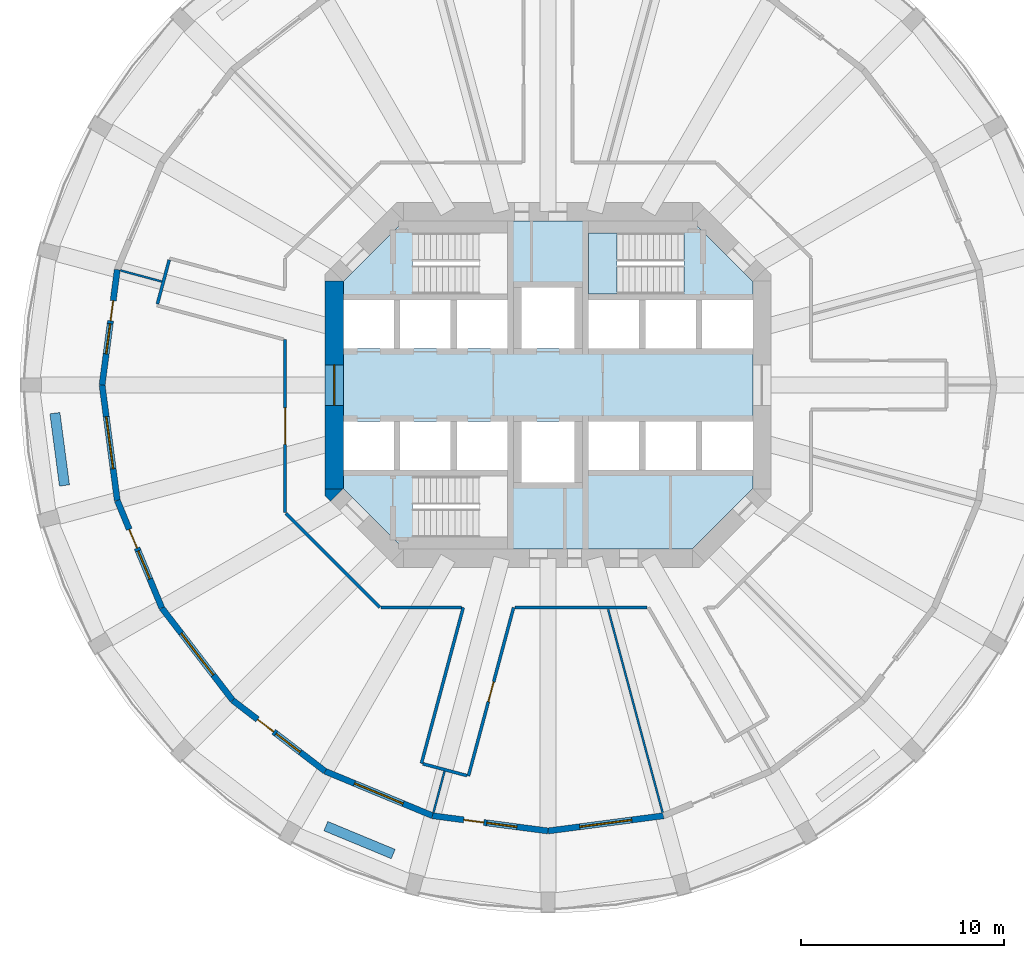
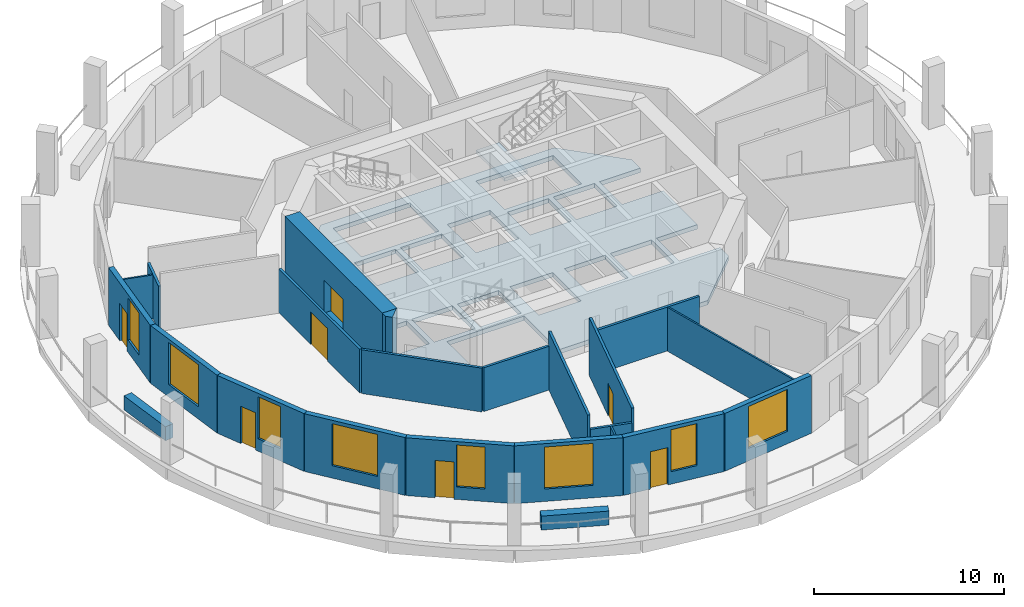
# One storey, part 2 of 8: 23 walls, 8 windows, 7 doors, 2 slabs, 15 openings, 1 element without a shape of its own.
"""IFC4 building model written with IfcOpenShell, lengths in metres."""

from ifc_helpers import new_model, si_unit, direction, frame, frame_2d, origin, place, context, subcontext, project, spatial, polyline, rectangle, outline, extrude, material, layer, layer_set, type_object, element, fill, aggregate, save


model = new_model("IFC4")

# Units and contexts
model_context = context("Model", 3, precision=1e-05, world=origin(), true_north=direction((0.0, 1.0)))
body_context = subcontext(model_context, "Body", "Model", "MODEL_VIEW")
ifc_project = project(units=[si_unit("LENGTHUNIT", "METRE"), si_unit("AREAUNIT", "SQUARE_METRE"), si_unit("VOLUMEUNIT", "CUBIC_METRE"), si_unit("PLANEANGLEUNIT", "RADIAN"), si_unit("MASSUNIT", "GRAM", prefix="KILO")], contexts=[model_context])

# Site, building, storey
site_placement = place(None, origin())
site = spatial("IfcSite", under=ifc_project, at=site_placement, CompositionType="ELEMENT")
building_placement = place(site_placement, origin())
building = spatial("IfcBuilding", under=site, at=building_placement, Name="Torre Triforio", CompositionType="ELEMENT")
storey_placement = place(building_placement, frame((0.0, 0.0, 86.60009765625)))
storey = spatial("IfcBuildingStorey", under=building, at=storey_placement, Name="L18", CompositionType="ELEMENT", Elevation=86.60009765625)

# Slab
ifc_material_1 = material(Name="Concrete C60", Category="concrete")
ifc_layer_1 = layer(ifc_material_1, 0.280029296875)
ifc_layer_set_1 = layer_set([ifc_layer_1], Name="Concrete C60")
slab_type_1 = type_object("IfcSlabType", Name="Core floor slab 280 mm C60 REI 120", PredefinedType="FLOOR", material=ifc_layer_set_1)
slab_1_placement = place(storey_placement, frame((0.0, 0.0, -0.280029296875)))
element("IfcSlab", 1, at=slab_1_placement, inside=storey, type_object=slab_type_1, Name="Core floor slab", PredefinedType="FLOOR", context=body_context, shape_type="SweptSolid", body=[
    extrude(outline(polyline([(10.10009765625, -5.10009765625), (7.10009765625, -8.10009765625), (-7.10009765625, -8.10009765625), (-10.10009765625, -5.10009765625), (-10.10009765625, -4.199951171875), (-7.60009765625, -4.199951171875), (-7.60009765625, -1.800048828125), (-10.10009765625, -1.800048828125), (-10.10009765625, 1.800048828125), (-7.60009765625, 1.800048828125), (-7.60009765625, 4.199951171875), (-10.10009765625, 4.199951171875), (-10.10009765625, 5.10009765625), (-7.10009765625, 8.10009765625), (7.10009765625, 8.10009765625), (10.10009765625, 5.10009765625), (10.10009765625, 4.199951171875), (7.60009765625, 4.199951171875), (7.60009765625, 1.800048828125), (10.10009765625, 1.800048828125), (10.10009765625, -1.800048828125), (7.60009765625, -1.800048828125), (7.60009765625, -4.199951171875), (10.10009765625, -4.199951171875), (10.10009765625, -5.10009765625)]), holes=[polyline([(-2.0, -4.5), (-6.696044921875, -4.5), (-6.696044921875, -7.5), (-2.0, -7.5), (-2.0, -4.5)]), polyline([(-4.800048828125, -1.800048828125), (-7.300048828125, -1.800048828125), (-7.300048828125, -4.199951171875), (-4.800048828125, -4.199951171875), (-4.800048828125, -1.800048828125)]), polyline([(-2.0, -1.800048828125), (-4.5, -1.800048828125), (-4.5, -4.199951171875), (-2.0, -4.199951171875), (-2.0, -1.800048828125)]), polyline([(-4.800048828125, 4.199951171875), (-7.300048828125, 4.199951171875), (-7.300048828125, 1.800048828125), (-4.800048828125, 1.800048828125), (-4.800048828125, 4.199951171875)]), polyline([(-2.0, 4.199951171875), (-4.5, 4.199951171875), (-4.5, 1.800048828125), (-2.0, 1.800048828125), (-2.0, 4.199951171875)]), polyline([(1.300048828125, 4.800048828125), (-1.300048828125, 4.800048828125), (-1.300048828125, 1.800048828125), (1.300048828125, 1.800048828125), (1.300048828125, 4.800048828125)]), polyline([(-2.0, 7.5), (-6.696044921875, 7.5), (-6.696044921875, 4.5), (-2.0, 4.5), (-2.0, 7.5)]), polyline([(1.300048828125, -1.800048828125), (-1.300048828125, -1.800048828125), (-1.300048828125, -4.800048828125), (1.300048828125, -4.800048828125), (1.300048828125, -1.800048828125)]), polyline([(4.5, -1.800048828125), (2.0, -1.800048828125), (2.0, -4.199951171875), (4.5, -4.199951171875), (4.5, -1.800048828125)]), polyline([(7.300048828125, -1.800048828125), (4.800048828125, -1.800048828125), (4.800048828125, -4.199951171875), (7.300048828125, -4.199951171875), (7.300048828125, -1.800048828125)]), polyline([(4.5, 4.199951171875), (2.0, 4.199951171875), (2.0, 1.800048828125), (4.5, 1.800048828125), (4.5, 4.199951171875)]), polyline([(7.300048828125, 4.199951171875), (4.800048828125, 4.199951171875), (4.800048828125, 1.800048828125), (7.300048828125, 1.800048828125), (7.300048828125, 4.199951171875)]), polyline([(6.696044921875, 4.5), (6.696044921875, 7.5), (2.0, 7.5), (2.0, 4.5), (6.696044921875, 4.5)])]), origin(), (0.0, 0.0, 1.0), 0.280029296875),
])

# Stair, slab
ifc_material_2 = material(Name="Concrete C40", Category="concrete")
stair_type = type_object("IfcStairType", Name="STAIR HALF-TURN", PredefinedType="HALF_TURN_STAIR", material=ifc_material_2)
stair_placement = place(storey_placement, origin())
stair = element("IfcStair", 2, at=stair_placement, inside=storey, type_object=stair_type, Name="Exit stair 2", PredefinedType="HALF_TURN_STAIR")
ifc_layer_2 = layer(ifc_material_2, 0.199951171875)
ifc_layer_set_2 = layer_set([ifc_layer_2], Name="Concrete C40")
slab_type_2 = type_object("IfcSlabType", Name="STAIR LANDING 200", PredefinedType="LANDING", material=ifc_layer_set_2)
slab_2_placement = place(storey_placement, frame((0.0, 0.0, 1.7998046875)))
slab_2 = element("IfcSlab", 3, at=slab_2_placement, type_object=slab_type_2, Name="ST2 landing 1", PredefinedType="LANDING", context=body_context, shape_type="SweptSolid", body=[
    extrude(outline(polyline([(3.39990234375, 4.5), (3.39990234375, 7.5), (2.0, 7.5), (2.0, 4.5), (3.39990234375, 4.5)])), origin(), (0.0, 0.0, 1.0), 0.2001953125),
])
aggregate(stair, [slab_2])

# Wall, opening, door
ifc_layer_3 = layer(ifc_material_1, 0.89990234375)
ifc_layer_set_3 = layer_set([ifc_layer_3], Name="Concrete C60")
wall_type_1 = type_object("IfcWallType", Name="Core wall 900 mm C60 EI 120", PredefinedType="SHEAR", material=ifc_layer_set_3)
wall_1_placement = place(storey_placement, frame((-10.550048828125, -5.1298828125, -0.280029296875), z_axis=(0.0, 0.0, 1.0), x_axis=(0.0, 1.0, 0.0)))
wall_1 = element("IfcWall", 4, at=wall_1_placement, inside=storey, type_object=wall_type_1, Name="Core wall", PredefinedType="SHEAR", context=body_context, shape_type="SweptSolid", body=[
    extrude(rectangle(XDim=10.259765625, YDim=0.89990234375, at=frame_2d((5.1298828125, 0.0))), origin(), (0.0, 0.0, 1.0), 4.0),
])
opening_1_placement = place(wall_1_placement, frame((4.1298828125, 0.0, 0.280029296875)))
opening_1 = element("IfcOpeningElement", 5, at=opening_1_placement, cuts=wall_1, Name="Opening W-RING", PredefinedType="OPENING", context=body_context, shape_type="SweptSolid", body=[
    extrude(rectangle(XDim=2.0, YDim=2.10009765625, at=frame_2d((1.0, 1.050048828125))), frame((0.0, 0.4599609375, 0.0), z_axis=(0.0, -1.0, 0.0), x_axis=(1.0, 0.0, 0.0)), (0.0, 0.0, 1.0), 0.919921875),
])
ifc_material_3 = material(Name="Hollow metal fire door leaf")
door_type_1 = type_object("IfcDoorType", Name="Lobby door 2000 x 2100 EI 60", OperationType="DOUBLE_DOOR_SINGLE_SWING", PredefinedType="DOOR", material=ifc_material_3)
door_1_placement = place(opening_1_placement, origin())
door_1 = element("IfcDoor", 6, at=door_1_placement, inside=storey, type_object=door_type_1, Name="Core door W-RING", OperationType="DOUBLE_DOOR_SINGLE_SWING", OverallHeight=2.10009765625, OverallWidth=2.0, PredefinedType="DOOR", context=body_context, shape_type="SweptSolid", body=[
    extrude(rectangle(XDim=2.0, YDim=2.10009765625, at=frame_2d((1.0, 1.050048828125))), frame((0.0, 0.02490234375, 0.0), z_axis=(0.0, -1.0, 0.0), x_axis=(1.0, 0.0, 0.0)), (0.0, 0.0, 1.0), 0.050048828125),
])
fill(opening_1, door_1)

# Walls
wall_2_placement = place(storey_placement, frame((0.0, 0.0, -0.280029296875)))
element("IfcWall", 7, at=wall_2_placement, inside=storey, type_object=wall_type_1, Name="Core wall", PredefinedType="SHEAR", context=body_context, shape_type="SweptSolid", body=[
    extrude(outline(polyline([(-11.0, -5.472900390625), (-11.0, -5.1298828125), (-10.1298828125, -5.1298828125), (-10.736328125, -5.736328125), (-11.0, -5.472900390625)])), origin(), (0.0, 0.0, 1.0), 4.0),
])
ifc_material_4 = material(Name="Plasterboard on metal studs")
ifc_layer_4 = layer(ifc_material_4, 0.14990234375)
ifc_layer_set_4 = layer_set([ifc_layer_4], Name="Plasterboard on metal studs")
wall_type_2 = type_object("IfcWallType", Name="Corridor and tenancy wall 150 mm EI 60", PredefinedType="PARTITIONING", material=ifc_layer_set_4)
wall_3_placement = place(storey_placement, frame((4.8857421875, -10.97509765625, 0.0), z_axis=(0.0, 0.0, 1.0), x_axis=(-1.0, 0.0, 0.0)))
element("IfcWall", 8, at=wall_3_placement, inside=storey, type_object=wall_type_2, Name="Partition 8", PredefinedType="PARTITIONING", context=body_context, shape_type="SweptSolid", body=[
    extrude(rectangle(XDim=6.51171875, YDim=0.14990234375, at=frame_2d((3.255859375, 0.0))), origin(), (0.0, 0.0, 1.0), 2.81982421875),
])

# Wall, opening, door
wall_4_placement = place(storey_placement, frame((-1.698486328125, -10.97509765625, 0.0), z_axis=(0.0, 0.0, 1.0), x_axis=(-0.258804606039, -0.965929695109, 0.0)))
wall_4 = element("IfcWall", 9, at=wall_4_placement, inside=storey, type_object=wall_type_2, Name="Partition 9", PredefinedType="PARTITIONING", context=body_context, shape_type="SweptSolid", body=[
    extrude(rectangle(XDim=8.60791015625, YDim=0.14990234375, at=frame_2d((4.303955078125, 0.0))), origin(), (0.0, 0.0, 1.0), 3.719970703125),
])
opening_2_placement = place(wall_4_placement, frame((3.803955078125, 0.0, 0.0)))
opening_2 = element("IfcOpeningElement", 10, at=opening_2_placement, cuts=wall_4, Name="Opening N6-07", PredefinedType="OPENING", context=body_context, shape_type="SweptSolid", body=[
    extrude(rectangle(XDim=1.0, YDim=2.10009765625, at=frame_2d((0.5, 1.050048828125))), frame((0.0, 0.0849609375, 0.0), z_axis=(0.0, -1.0, 0.0), x_axis=(1.0, 0.0, 0.0)), (0.0, 0.0, 1.0), 0.169921875),
])
ifc_material_5 = material(Name="Timber", Category="wood")
door_type_2 = type_object("IfcDoorType", Name="Door 1000 x 2100 single leaf EI 30", OperationType="NOTDEFINED", PredefinedType="DOOR", material=ifc_material_5)
door_2_placement = place(opening_2_placement, origin())
door_2 = element("IfcDoor", 11, at=door_2_placement, inside=storey, type_object=door_type_2, Name="Door N6-07", OperationType="SINGLE_SWING_RIGHT", OverallHeight=2.10009765625, OverallWidth=1.0, PredefinedType="DOOR", context=body_context, shape_type="SweptSolid", body=[
    extrude(rectangle(XDim=1.0, YDim=2.10009765625, at=frame_2d((0.5, 1.050048828125))), frame((0.0, 0.02490234375, 0.0), z_axis=(0.0, -1.0, 0.0), x_axis=(1.0, 0.0, 0.0)), (0.0, 0.0, 1.0), 0.050048828125),
])
fill(opening_2, door_2)

# Walls
wall_5_placement = place(storey_placement, frame((-3.998779296875, -19.2705078125, 0.0), z_axis=(0.0, 0.0, 1.0), x_axis=(-0.965906393436, 0.258891558609, 0.0)))
element("IfcWall", 12, at=wall_5_placement, inside=storey, type_object=wall_type_2, Name="Partition 10", PredefinedType="PARTITIONING", context=body_context, shape_type="SweptSolid", body=[
    extrude(rectangle(XDim=2.25, YDim=0.14990234375, at=frame_2d((1.125, 0.0))), origin(), (0.0, 0.0, 1.0), 2.81982421875),
])
wall_6_placement = place(storey_placement, frame((-6.24462890625, -18.668701171875, 0.0), z_axis=(0.0, 0.0, 1.0), x_axis=(0.258822393938, 0.965924928965, 0.0)))
element("IfcWall", 13, at=wall_6_placement, inside=storey, type_object=wall_type_2, Name="Partition 11", PredefinedType="PARTITIONING", context=body_context, shape_type="SweptSolid", body=[
    extrude(rectangle(XDim=7.965087890625, YDim=0.14990234375, at=frame_2d((3.982421875, 0.0))), origin(), (0.0, 0.0, 1.0), 3.719970703125),
])
wall_7_placement = place(storey_placement, frame((-4.280517578125, -10.97509765625, 0.0), z_axis=(0.0, 0.0, 1.0), x_axis=(-1.0, 0.0, 0.0)))
element("IfcWall", 14, at=wall_7_placement, inside=storey, type_object=wall_type_2, Name="Partition 12", PredefinedType="PARTITIONING", context=body_context, shape_type="SweptSolid", body=[
    extrude(rectangle(XDim=3.957763671875, YDim=0.14990234375, at=frame_2d((1.97900390625, 0.0))), origin(), (0.0, 0.0, 1.0), 2.81982421875),
])
wall_8_placement = place(storey_placement, frame((-8.291015625, -10.97509765625, 0.0), z_axis=(0.0, 0.0, 1.0), x_axis=(-0.707088206597, 0.707125355289, 0.0)))
element("IfcWall", 15, at=wall_8_placement, inside=storey, type_object=wall_type_2, Name="Partition 13", PredefinedType="PARTITIONING", context=body_context, shape_type="SweptSolid", body=[
    extrude(rectangle(XDim=6.572021484375, YDim=0.14990234375, at=frame_2d((3.2861328125, 0.0))), origin(), (0.0, 0.0, 1.0), 2.81982421875),
])

# Wall, opening, door
wall_9_placement = place(storey_placement, frame((-12.97509765625, -6.291015625, 0.0), z_axis=(0.0, 0.0, 1.0), x_axis=(0.0, 1.0, 0.0)))
wall_9 = element("IfcWall", 16, at=wall_9_placement, inside=storey, type_object=wall_type_2, Name="Partition 14", PredefinedType="PARTITIONING", context=body_context, shape_type="SweptSolid", body=[
    extrude(rectangle(XDim=8.525390625, YDim=0.14990234375, at=frame_2d((4.2626953125, 0.0))), origin(), (0.0, 0.0, 1.0), 2.81982421875),
])
opening_3_placement = place(wall_9_placement, frame((3.362548828125, 0.0, 0.0)))
opening_3 = element("IfcOpeningElement", 17, at=opening_3_placement, cuts=wall_9, Name="Opening N6-06", PredefinedType="OPENING", context=body_context, shape_type="SweptSolid", body=[
    extrude(rectangle(XDim=1.800048828125, YDim=2.10009765625, at=frame_2d((0.89990234375, 1.050048828125))), frame((0.0, 0.0849609375, 0.0), z_axis=(0.0, -1.0, 0.0), x_axis=(1.0, 0.0, 0.0)), (0.0, 0.0, 1.0), 0.169921875),
])
door_type_3 = type_object("IfcDoorType", Name="Door 1800 x 2100 double leaf EI 30", OperationType="DOUBLE_DOOR_SINGLE_SWING", PredefinedType="DOOR", material=ifc_material_5)
door_3_placement = place(opening_3_placement, origin())
door_3 = element("IfcDoor", 18, at=door_3_placement, inside=storey, type_object=door_type_3, Name="Door N6-06", OperationType="DOUBLE_DOOR_SINGLE_SWING", OverallHeight=2.10009765625, OverallWidth=1.800048828125, PredefinedType="DOOR", context=body_context, shape_type="SweptSolid", body=[
    extrude(rectangle(XDim=1.800048828125, YDim=2.10009765625, at=frame_2d((0.89990234375, 1.050048828125))), frame((0.0, 0.02490234375, 0.0), z_axis=(0.0, -1.0, 0.0), x_axis=(1.0, 0.0, 0.0)), (0.0, 0.0, 1.0), 0.050048828125),
])
fill(opening_3, door_3)

# Walls
wall_10_placement = place(storey_placement, frame((-19.2705078125, 3.998779296875, 0.0), z_axis=(0.0, 0.0, 1.0), x_axis=(0.258891558609, 0.965906393436, 0.0)))
element("IfcWall", 19, at=wall_10_placement, inside=storey, type_object=wall_type_2, Name="Partition 16", PredefinedType="PARTITIONING", context=body_context, shape_type="SweptSolid", body=[
    extrude(rectangle(XDim=2.25, YDim=0.14990234375, at=frame_2d((1.125, 0.0))), origin(), (0.0, 0.0, 1.0), 2.81982421875),
])
ifc_layer_5 = layer(ifc_material_4, 0.10009765625)
ifc_layer_set_5 = layer_set([ifc_layer_5], Name="Plasterboard on metal studs")
wall_type_3 = type_object("IfcWallType", Name="Partition 100 mm board on metal studs", PredefinedType="PARTITIONING", material=ifc_layer_set_5)
for number, where, z_axis, x_axis, name in (
    (20, (-19.051513671875, 5.10498046875, 0.0), (0.0, 0.0, 1.0), (-0.965927422152, 0.258813089189, 0.0), "Partition 35"),
    (21, (-5.10498046875, -19.051513671875, 0.0), (0.0, 0.0, 1.0), (-0.258813089189, -0.965927422152, 0.0), "Partition 36"),
):
    element("IfcWall", number, at=place(storey_placement, frame(where, z_axis=z_axis, x_axis=x_axis)), inside=storey, type_object=wall_type_3, Name=name, PredefinedType="PARTITIONING", context=body_context, shape_type="SweptSolid", body=[
        extrude(rectangle(XDim=2.113037109375, YDim=0.10009765625, at=frame_2d((1.056640625, 0.0))), origin(), (0.0, 0.0, 1.0), 2.81982421875),
    ])
wall_11_placement = place(storey_placement, frame((2.964599609375, -11.064208984375, 0.0), z_axis=(0.0, 0.0, 1.0), x_axis=(0.258834819477, -0.96592159942, 0.0)))
element("IfcWall", 22, at=wall_11_placement, inside=storey, type_object=wall_type_3, Name="Partition 37", PredefinedType="PARTITIONING", context=body_context, shape_type="SweptSolid", body=[
    extrude(rectangle(XDim=10.382080078125, YDim=0.10009765625, at=frame_2d((5.19091796875, 0.0))), origin(), (0.0, 0.0, 1.0), 2.81982421875),
])
ifc_material_6 = material(Name="Limestone cladding", Category="masonry")
ifc_layer_6 = layer(ifc_material_6, 0.10009765625)
ifc_layer_7 = layer(ifc_material_2, 0.39990234375)
ifc_layer_set_6 = layer_set([ifc_layer_6, ifc_layer_7], Name="Limestone cladding / Concrete C40")
wall_type_4 = type_object("IfcWallType", Name="Planter wall 500", PredefinedType="PARAPET", material=ifc_layer_set_6)
for number, where, z_axis, x_axis, name in (
    (23, (-24.3271484375, -1.38720703125, 0.0), (0.0, 0.0, 1.0), (0.130551000099, -0.991441595039, 0.0), "Planter L18 bay 13"),
    (24, (-10.962158203125, -21.761474609375, 0.0), (0.0, 0.0, 1.0), (0.923875488976, -0.382693194178, 0.0), "Planter L18 bay 17"),
):
    element("IfcWall", number, at=place(storey_placement, frame(where, z_axis=z_axis, x_axis=x_axis)), inside=storey, type_object=wall_type_4, Name=name, PredefinedType="PARAPET", context=body_context, shape_type="SweptSolid", body=[
        extrude(rectangle(XDim=3.599853515625, YDim=0.5, at=frame_2d((1.7998046875, 0.0))), origin(), (0.0, 0.0, 1.0), 0.89990234375),
    ])

# Wall, openings, door, window
ifc_layer_8 = layer(ifc_material_6, 0.10009765625)
ifc_layer_9 = layer(ifc_material_2, 0.199951171875)
ifc_layer_set_7 = layer_set([ifc_layer_8, ifc_layer_9], Name="Limestone cladding / Concrete C40")
wall_type_5 = type_object("IfcWallType", Name="Stone-faced composite wall 300", PredefinedType="STANDARD", material=ifc_layer_set_7)
wall_12_placement = place(storey_placement, frame((-21.25048828125, 5.694091796875, 0.0), z_axis=(0.0, 0.0, 1.0), x_axis=(-0.130503995834, -0.991447783331, 0.0)))
wall_12 = element("IfcWall", 25, at=wall_12_placement, inside=storey, type_object=wall_type_5, Name="External wall L18 bay 12", PredefinedType="STANDARD", context=body_context, shape_type="SweptSolid", body=[
    extrude(rectangle(XDim=5.7431640625, YDim=0.300048828125, at=frame_2d((2.87158203125, 0.0))), origin(), (0.0, 0.0, 1.0), 3.719970703125),
])
opening_4_placement = place(wall_12_placement, frame((1.546630859375, 0.0, 0.0)))
opening_4 = element("IfcOpeningElement", 26, at=opening_4_placement, cuts=wall_12, Name="Opening N6-D12", PredefinedType="OPENING", context=body_context, shape_type="SweptSolid", body=[
    extrude(rectangle(XDim=1.0, YDim=2.39990234375, at=frame_2d((0.5, 1.199951171875))), frame((0.0, 0.159912109375, 0.0), z_axis=(0.0, -1.0, 0.0), x_axis=(1.0, 0.0, 0.0)), (0.0, 0.0, 1.0), 0.320068359375),
])
opening_5_placement = place(wall_12_placement, frame((2.696533203125, 0.0, 0.800048828125)))
opening_5 = element("IfcOpeningElement", 27, at=opening_5_placement, cuts=wall_12, Name="Opening N6-W12A", PredefinedType="OPENING", context=body_context, shape_type="SweptSolid", body=[
    extrude(rectangle(XDim=1.5, YDim=2.699951171875, at=frame_2d((0.75, 1.35009765625))), frame((0.0, 0.159912109375, 0.0), z_axis=(0.0, -1.0, 0.0), x_axis=(1.0, 0.0, 0.0)), (0.0, 0.0, 1.0), 0.320068359375),
])
ifc_material_7 = material(Name="Aluminium frame with clear double glazing", Category="aluminium")
door_type_4 = type_object("IfcDoorType", Name="Loggia door 1000 x 2400", OperationType="NOTDEFINED", PredefinedType="DOOR", material=ifc_material_7)
door_4_placement = place(opening_4_placement, origin())
door_4 = element("IfcDoor", 28, at=door_4_placement, inside=storey, type_object=door_type_4, Name="Loggia door L18 bay 12", OperationType="SINGLE_SWING_LEFT", OverallHeight=2.39990234375, OverallWidth=1.0, PredefinedType="DOOR", context=body_context, shape_type="SweptSolid", body=[
    extrude(rectangle(XDim=1.0, YDim=2.39990234375, at=frame_2d((0.5, 1.199951171875))), frame((0.0, 0.02490234375, 0.0), z_axis=(0.0, -1.0, 0.0), x_axis=(1.0, 0.0, 0.0)), (0.0, 0.0, 1.0), 0.050048828125),
])
fill(opening_4, door_4)
window_type_1 = type_object("IfcWindowType", Name="Side window 1500 x 2700", PartitioningType="SINGLE_PANEL", PredefinedType="WINDOW", material=ifc_material_7)
window_1_placement = place(opening_5_placement, origin())
window_1 = element("IfcWindow", 29, at=window_1_placement, inside=storey, type_object=window_type_1, Name="Side window EWN12 L18 bay 12", OverallHeight=2.699951171875, OverallWidth=1.5, PartitioningType="SINGLE_PANEL", PredefinedType="WINDOW", context=body_context, shape_type="SweptSolid", body=[
    extrude(rectangle(XDim=1.5, YDim=2.699951171875, at=frame_2d((0.75, 1.35009765625))), frame((0.0, 0.030029296875, 0.0), z_axis=(0.0, -1.0, 0.0), x_axis=(1.0, 0.0, 0.0)), (0.0, 0.0, 1.0), 0.06005859375),
])
fill(opening_5, window_1)

# Wall, opening, window
wall_13_placement = place(storey_placement, frame((-22.0, 0.0, 0.0), z_axis=(0.0, 0.0, 1.0), x_axis=(0.130503995834, -0.991447783331, 0.0)))
wall_13 = element("IfcWall", 30, at=wall_13_placement, inside=storey, type_object=wall_type_5, Name="External wall L18 bay 13", PredefinedType="STANDARD", context=body_context, shape_type="SweptSolid", body=[
    extrude(rectangle(XDim=5.7431640625, YDim=0.300048828125, at=frame_2d((2.87158203125, 0.0))), origin(), (0.0, 0.0, 1.0), 3.719970703125),
])
opening_6_placement = place(wall_13_placement, frame((1.571533203125, 0.0, 0.800048828125)))
opening_6 = element("IfcOpeningElement", 31, at=opening_6_placement, cuts=wall_13, Name="Opening N6-W13", PredefinedType="OPENING", context=body_context, shape_type="SweptSolid", body=[
    extrude(rectangle(XDim=2.60009765625, YDim=2.699951171875, at=frame_2d((1.300048828125, 1.35009765625))), frame((0.0, 0.159912109375, 0.0), z_axis=(0.0, -1.0, 0.0), x_axis=(1.0, 0.0, 0.0)), (0.0, 0.0, 1.0), 0.320068359375),
])
window_type_2 = type_object("IfcWindowType", Name="Punched window 2600 x 2700", PartitioningType="DOUBLE_PANEL_VERTICAL", PredefinedType="WINDOW", material=ifc_material_7)
window_2_placement = place(opening_6_placement, origin())
window_2 = element("IfcWindow", 32, at=window_2_placement, inside=storey, type_object=window_type_2, Name="Window EWN2 L18 bay 13", OverallHeight=2.699951171875, OverallWidth=2.60009765625, PartitioningType="SINGLE_PANEL", PredefinedType="WINDOW", context=body_context, shape_type="SweptSolid", body=[
    extrude(rectangle(XDim=2.60009765625, YDim=2.699951171875, at=frame_2d((1.300048828125, 1.35009765625))), frame((0.0, 0.030029296875, 0.0), z_axis=(0.0, -1.0, 0.0), x_axis=(1.0, 0.0, 0.0)), (0.0, 0.0, 1.0), 0.06005859375),
])
fill(opening_6, window_2)

# Wall, openings, door, window
wall_14_placement = place(storey_placement, frame((-21.25048828125, -5.694091796875, 0.0), z_axis=(0.0, 0.0, 1.0), x_axis=(0.382715966503, -0.923866055759, 0.0)))
wall_14 = element("IfcWall", 33, at=wall_14_placement, inside=storey, type_object=wall_type_5, Name="External wall L18 bay 14", PredefinedType="STANDARD", context=body_context, shape_type="SweptSolid", body=[
    extrude(rectangle(XDim=5.7431640625, YDim=0.300048828125, at=frame_2d((2.87158203125, 0.0))), origin(), (0.0, 0.0, 1.0), 3.719970703125),
])
opening_7_placement = place(wall_14_placement, frame((1.546630859375, 0.0, 0.0)))
opening_7 = element("IfcOpeningElement", 34, at=opening_7_placement, cuts=wall_14, Name="Opening N6-D14", PredefinedType="OPENING", context=body_context, shape_type="SweptSolid", body=[
    extrude(rectangle(XDim=1.0, YDim=2.39990234375, at=frame_2d((0.5, 1.199951171875))), frame((0.0, 0.159912109375, 0.0), z_axis=(0.0, -1.0, 0.0), x_axis=(1.0, 0.0, 0.0)), (0.0, 0.0, 1.0), 0.320068359375),
])
opening_8_placement = place(wall_14_placement, frame((2.696533203125, 0.0, 0.800048828125)))
opening_8 = element("IfcOpeningElement", 35, at=opening_8_placement, cuts=wall_14, Name="Opening N6-W14A", PredefinedType="OPENING", context=body_context, shape_type="SweptSolid", body=[
    extrude(rectangle(XDim=1.5, YDim=2.699951171875, at=frame_2d((0.75, 1.35009765625))), frame((0.0, 0.159912109375, 0.0), z_axis=(0.0, -1.0, 0.0), x_axis=(1.0, 0.0, 0.0)), (0.0, 0.0, 1.0), 0.320068359375),
])
door_5_placement = place(opening_7_placement, origin())
door_5 = element("IfcDoor", 36, at=door_5_placement, inside=storey, type_object=door_type_4, Name="Loggia door L18 bay 14", OperationType="SINGLE_SWING_LEFT", OverallHeight=2.39990234375, OverallWidth=1.0, PredefinedType="DOOR", context=body_context, shape_type="SweptSolid", body=[
    extrude(rectangle(XDim=1.0, YDim=2.39990234375, at=frame_2d((0.5, 1.199951171875))), frame((0.0, 0.02490234375, 0.0), z_axis=(0.0, -1.0, 0.0), x_axis=(1.0, 0.0, 0.0)), (0.0, 0.0, 1.0), 0.050048828125),
])
fill(opening_7, door_5)
window_3_placement = place(opening_8_placement, origin())
window_3 = element("IfcWindow", 37, at=window_3_placement, inside=storey, type_object=window_type_1, Name="Side window EWN12 L18 bay 14", OverallHeight=2.699951171875, OverallWidth=1.5, PartitioningType="SINGLE_PANEL", PredefinedType="WINDOW", context=body_context, shape_type="SweptSolid", body=[
    extrude(rectangle(XDim=1.5, YDim=2.699951171875, at=frame_2d((0.75, 1.35009765625))), frame((0.0, 0.030029296875, 0.0), z_axis=(0.0, -1.0, 0.0), x_axis=(1.0, 0.0, 0.0)), (0.0, 0.0, 1.0), 0.06005859375),
])
fill(opening_8, window_3)

# Wall, opening, window
wall_15_placement = place(storey_placement, frame((-19.052490234375, -11.0, 0.0), z_axis=(0.0, 0.0, 1.0), x_axis=(0.608744744291, -0.793366142647, 0.0)))
wall_15 = element("IfcWall", 38, at=wall_15_placement, inside=storey, type_object=wall_type_5, Name="External wall L18 bay 15", PredefinedType="STANDARD", context=body_context, shape_type="SweptSolid", body=[
    extrude(rectangle(XDim=5.7431640625, YDim=0.300048828125, at=frame_2d((2.87158203125, 0.0))), origin(), (0.0, 0.0, 1.0), 3.719970703125),
])
opening_9_placement = place(wall_15_placement, frame((1.571533203125, 0.0, 0.800048828125)))
opening_9 = element("IfcOpeningElement", 39, at=opening_9_placement, cuts=wall_15, Name="Opening N6-W15", PredefinedType="OPENING", context=body_context, shape_type="SweptSolid", body=[
    extrude(rectangle(XDim=2.60009765625, YDim=2.699951171875, at=frame_2d((1.300048828125, 1.35009765625))), frame((0.0, 0.159912109375, 0.0), z_axis=(0.0, -1.0, 0.0), x_axis=(1.0, 0.0, 0.0)), (0.0, 0.0, 1.0), 0.320068359375),
])
window_4_placement = place(opening_9_placement, origin())
window_4 = element("IfcWindow", 40, at=window_4_placement, inside=storey, type_object=window_type_2, Name="Window EWN2 L18 bay 15", OverallHeight=2.699951171875, OverallWidth=2.60009765625, PartitioningType="SINGLE_PANEL", PredefinedType="WINDOW", context=body_context, shape_type="SweptSolid", body=[
    extrude(rectangle(XDim=2.60009765625, YDim=2.699951171875, at=frame_2d((1.300048828125, 1.35009765625))), frame((0.0, 0.030029296875, 0.0), z_axis=(0.0, -1.0, 0.0), x_axis=(1.0, 0.0, 0.0)), (0.0, 0.0, 1.0), 0.06005859375),
])
fill(opening_9, window_4)

# Wall, openings, door, window
wall_16_placement = place(storey_placement, frame((-15.556396484375, -15.556396484375, 0.0), z_axis=(0.0, 0.0, 1.0), x_axis=(0.793366142647, -0.608744744291, 0.0)))
wall_16 = element("IfcWall", 41, at=wall_16_placement, inside=storey, type_object=wall_type_5, Name="External wall L18 bay 16", PredefinedType="STANDARD", context=body_context, shape_type="SweptSolid", body=[
    extrude(rectangle(XDim=5.7431640625, YDim=0.300048828125, at=frame_2d((2.87158203125, 0.0))), origin(), (0.0, 0.0, 1.0), 3.719970703125),
])
opening_10_placement = place(wall_16_placement, frame((1.546630859375, 0.0, 0.0)))
opening_10 = element("IfcOpeningElement", 42, at=opening_10_placement, cuts=wall_16, Name="Opening N6-D16", PredefinedType="OPENING", context=body_context, shape_type="SweptSolid", body=[
    extrude(rectangle(XDim=1.0, YDim=2.39990234375, at=frame_2d((0.5, 1.199951171875))), frame((0.0, 0.159912109375, 0.0), z_axis=(0.0, -1.0, 0.0), x_axis=(1.0, 0.0, 0.0)), (0.0, 0.0, 1.0), 0.320068359375),
])
opening_11_placement = place(wall_16_placement, frame((2.696533203125, 0.0, 0.800048828125)))
opening_11 = element("IfcOpeningElement", 43, at=opening_11_placement, cuts=wall_16, Name="Opening N6-W16A", PredefinedType="OPENING", context=body_context, shape_type="SweptSolid", body=[
    extrude(rectangle(XDim=1.5, YDim=2.699951171875, at=frame_2d((0.75, 1.35009765625))), frame((0.0, 0.159912109375, 0.0), z_axis=(0.0, -1.0, 0.0), x_axis=(1.0, 0.0, 0.0)), (0.0, 0.0, 1.0), 0.320068359375),
])
door_6_placement = place(opening_10_placement, origin())
door_6 = element("IfcDoor", 44, at=door_6_placement, inside=storey, type_object=door_type_4, Name="Loggia door L18 bay 16", OperationType="SINGLE_SWING_LEFT", OverallHeight=2.39990234375, OverallWidth=1.0, PredefinedType="DOOR", context=body_context, shape_type="SweptSolid", body=[
    extrude(rectangle(XDim=1.0, YDim=2.39990234375, at=frame_2d((0.5, 1.199951171875))), frame((0.0, 0.02490234375, 0.0), z_axis=(0.0, -1.0, 0.0), x_axis=(1.0, 0.0, 0.0)), (0.0, 0.0, 1.0), 0.050048828125),
])
fill(opening_10, door_6)
window_5_placement = place(opening_11_placement, origin())
window_5 = element("IfcWindow", 45, at=window_5_placement, inside=storey, type_object=window_type_1, Name="Side window EWN12 L18 bay 16", OverallHeight=2.699951171875, OverallWidth=1.5, PartitioningType="SINGLE_PANEL", PredefinedType="WINDOW", context=body_context, shape_type="SweptSolid", body=[
    extrude(rectangle(XDim=1.5, YDim=2.699951171875, at=frame_2d((0.75, 1.35009765625))), frame((0.0, 0.030029296875, 0.0), z_axis=(0.0, -1.0, 0.0), x_axis=(1.0, 0.0, 0.0)), (0.0, 0.0, 1.0), 0.06005859375),
])
fill(opening_11, window_5)

# Wall, opening, window
wall_17_placement = place(storey_placement, frame((-11.0, -19.052490234375, 0.0), z_axis=(0.0, 0.0, 1.0), x_axis=(0.923866055759, -0.382715966503, 0.0)))
wall_17 = element("IfcWall", 46, at=wall_17_placement, inside=storey, type_object=wall_type_5, Name="External wall L18 bay 17", PredefinedType="STANDARD", context=body_context, shape_type="SweptSolid", body=[
    extrude(rectangle(XDim=5.7431640625, YDim=0.300048828125, at=frame_2d((2.87158203125, 0.0))), origin(), (0.0, 0.0, 1.0), 3.719970703125),
])
opening_12_placement = place(wall_17_placement, frame((1.571533203125, 0.0, 0.800048828125)))
opening_12 = element("IfcOpeningElement", 47, at=opening_12_placement, cuts=wall_17, Name="Opening N6-W17", PredefinedType="OPENING", context=body_context, shape_type="SweptSolid", body=[
    extrude(rectangle(XDim=2.60009765625, YDim=2.699951171875, at=frame_2d((1.300048828125, 1.35009765625))), frame((0.0, 0.159912109375, 0.0), z_axis=(0.0, -1.0, 0.0), x_axis=(1.0, 0.0, 0.0)), (0.0, 0.0, 1.0), 0.320068359375),
])
window_6_placement = place(opening_12_placement, origin())
window_6 = element("IfcWindow", 48, at=window_6_placement, inside=storey, type_object=window_type_2, Name="Window EWN2 L18 bay 17", OverallHeight=2.699951171875, OverallWidth=2.60009765625, PartitioningType="SINGLE_PANEL", PredefinedType="WINDOW", context=body_context, shape_type="SweptSolid", body=[
    extrude(rectangle(XDim=2.60009765625, YDim=2.699951171875, at=frame_2d((1.300048828125, 1.35009765625))), frame((0.0, 0.030029296875, 0.0), z_axis=(0.0, -1.0, 0.0), x_axis=(1.0, 0.0, 0.0)), (0.0, 0.0, 1.0), 0.06005859375),
])
fill(opening_12, window_6)

# Wall, openings, door, window
wall_18_placement = place(storey_placement, frame((-5.694091796875, -21.25048828125, 0.0), z_axis=(0.0, 0.0, 1.0), x_axis=(0.991447783331, -0.130503995834, 0.0)))
wall_18 = element("IfcWall", 49, at=wall_18_placement, inside=storey, type_object=wall_type_5, Name="External wall L18 bay 18", PredefinedType="STANDARD", context=body_context, shape_type="SweptSolid", body=[
    extrude(rectangle(XDim=5.7431640625, YDim=0.300048828125, at=frame_2d((2.87158203125, 0.0))), origin(), (0.0, 0.0, 1.0), 3.719970703125),
])
opening_13_placement = place(wall_18_placement, frame((1.546630859375, 0.0, 0.0)))
opening_13 = element("IfcOpeningElement", 50, at=opening_13_placement, cuts=wall_18, Name="Opening N6-D18", PredefinedType="OPENING", context=body_context, shape_type="SweptSolid", body=[
    extrude(rectangle(XDim=1.0, YDim=2.39990234375, at=frame_2d((0.5, 1.199951171875))), frame((0.0, 0.159912109375, 0.0), z_axis=(0.0, -1.0, 0.0), x_axis=(1.0, 0.0, 0.0)), (0.0, 0.0, 1.0), 0.320068359375),
])
opening_14_placement = place(wall_18_placement, frame((2.696533203125, 0.0, 0.800048828125)))
opening_14 = element("IfcOpeningElement", 51, at=opening_14_placement, cuts=wall_18, Name="Opening N6-W18A", PredefinedType="OPENING", context=body_context, shape_type="SweptSolid", body=[
    extrude(rectangle(XDim=1.5, YDim=2.699951171875, at=frame_2d((0.75, 1.35009765625))), frame((0.0, 0.159912109375, 0.0), z_axis=(0.0, -1.0, 0.0), x_axis=(1.0, 0.0, 0.0)), (0.0, 0.0, 1.0), 0.320068359375),
])
door_7_placement = place(opening_13_placement, origin())
door_7 = element("IfcDoor", 52, at=door_7_placement, inside=storey, type_object=door_type_4, Name="Loggia door L18 bay 18", OperationType="SINGLE_SWING_LEFT", OverallHeight=2.39990234375, OverallWidth=1.0, PredefinedType="DOOR", context=body_context, shape_type="SweptSolid", body=[
    extrude(rectangle(XDim=1.0, YDim=2.39990234375, at=frame_2d((0.5, 1.199951171875))), frame((0.0, 0.02490234375, 0.0), z_axis=(0.0, -1.0, 0.0), x_axis=(1.0, 0.0, 0.0)), (0.0, 0.0, 1.0), 0.050048828125),
])
fill(opening_13, door_7)
window_7_placement = place(opening_14_placement, origin())
window_7 = element("IfcWindow", 53, at=window_7_placement, inside=storey, type_object=window_type_1, Name="Side window EWN12 L18 bay 18", OverallHeight=2.699951171875, OverallWidth=1.5, PartitioningType="SINGLE_PANEL", PredefinedType="WINDOW", context=body_context, shape_type="SweptSolid", body=[
    extrude(rectangle(XDim=1.5, YDim=2.699951171875, at=frame_2d((0.75, 1.35009765625))), frame((0.0, 0.030029296875, 0.0), z_axis=(0.0, -1.0, 0.0), x_axis=(1.0, 0.0, 0.0)), (0.0, 0.0, 1.0), 0.06005859375),
])
fill(opening_14, window_7)

# Wall, opening, window
wall_19_placement = place(storey_placement, frame((0.0, -22.0, 0.0), z_axis=(0.0, 0.0, 1.0), x_axis=(0.991447783331, 0.130503995834, 0.0)))
wall_19 = element("IfcWall", 54, at=wall_19_placement, inside=storey, type_object=wall_type_5, Name="External wall L18 bay 19", PredefinedType="STANDARD", context=body_context, shape_type="SweptSolid", body=[
    extrude(rectangle(XDim=5.7431640625, YDim=0.300048828125, at=frame_2d((2.87158203125, 0.0))), origin(), (0.0, 0.0, 1.0), 3.719970703125),
])
opening_15_placement = place(wall_19_placement, frame((1.571533203125, 0.0, 0.800048828125)))
opening_15 = element("IfcOpeningElement", 55, at=opening_15_placement, cuts=wall_19, Name="Opening N6-W19", PredefinedType="OPENING", context=body_context, shape_type="SweptSolid", body=[
    extrude(rectangle(XDim=2.60009765625, YDim=2.699951171875, at=frame_2d((1.300048828125, 1.35009765625))), frame((0.0, 0.159912109375, 0.0), z_axis=(0.0, -1.0, 0.0), x_axis=(1.0, 0.0, 0.0)), (0.0, 0.0, 1.0), 0.320068359375),
])
window_8_placement = place(opening_15_placement, origin())
window_8 = element("IfcWindow", 56, at=window_8_placement, inside=storey, type_object=window_type_2, Name="Window EWN2 L18 bay 19", OverallHeight=2.699951171875, OverallWidth=2.60009765625, PartitioningType="SINGLE_PANEL", PredefinedType="WINDOW", context=body_context, shape_type="SweptSolid", body=[
    extrude(rectangle(XDim=2.60009765625, YDim=2.699951171875, at=frame_2d((1.300048828125, 1.35009765625))), frame((0.0, 0.030029296875, 0.0), z_axis=(0.0, -1.0, 0.0), x_axis=(1.0, 0.0, 0.0)), (0.0, 0.0, 1.0), 0.06005859375),
])
fill(opening_15, window_8)

save(model, "model.ifc")
